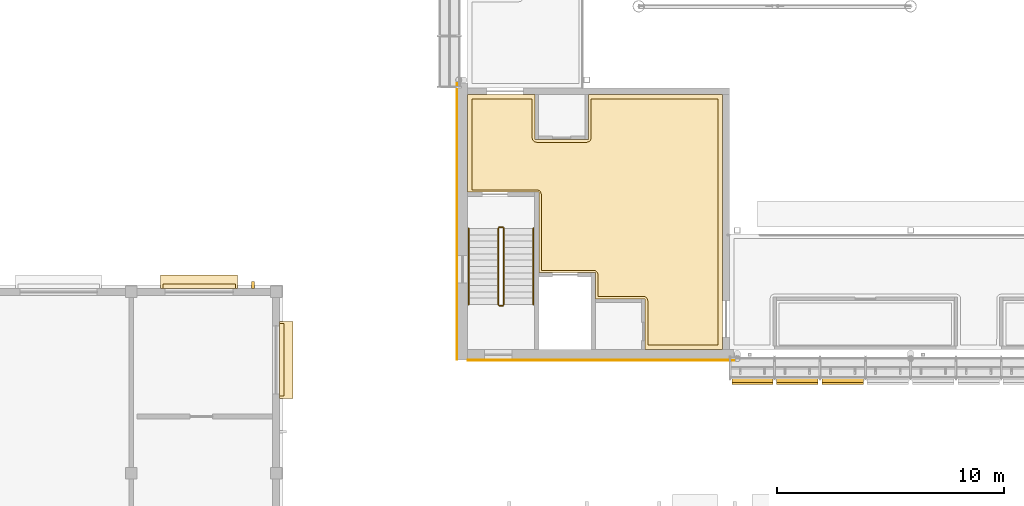
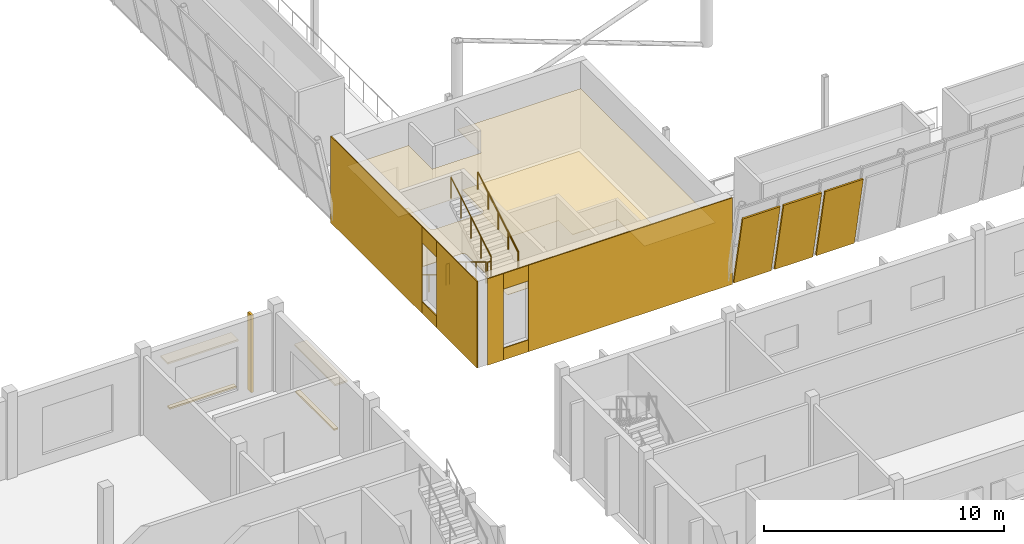
# One storey, part 96 of 115: 14 coverings, 6 railings, 4 shading devices.
"""IFC4 building model written with IfcOpenShell, lengths in metres."""

from ifc_helpers import new_model, si_unit, direction, frame, origin, origin_2d, place, context, subcontext, project, spatial, polyline, circle, outline, extrude, material, layer, layer_set, type_object, element, save


model = new_model("IFC4")

# Units and contexts
model_context = context("Model", 3, precision=1e-05, world=origin(), true_north=direction((0.0, 1.0)))
body_context = subcontext(model_context, "Body", "Model", "MODEL_VIEW")
ifc_project = project(units=[si_unit("LENGTHUNIT", "METRE"), si_unit("AREAUNIT", "SQUARE_METRE"), si_unit("VOLUMEUNIT", "CUBIC_METRE"), si_unit("PLANEANGLEUNIT", "RADIAN"), si_unit("MASSUNIT", "GRAM", prefix="KILO")], contexts=[model_context])

# Site, building, storey
site_placement = place(None, origin())
site = spatial("IfcSite", under=ifc_project, at=site_placement, CompositionType="ELEMENT")
building_placement = place(site_placement, origin())
building = spatial("IfcBuilding", under=site, at=building_placement, Name="Windward Yard Aquatics Centre", CompositionType="ELEMENT")
storey_placement = place(building_placement, frame((0.0, 0.0, 5.0)))
storey = spatial("IfcBuildingStorey", under=building, at=storey_placement, Name="L01", CompositionType="ELEMENT", Elevation=5.0)

# Covering
ifc_material_1 = material(Name="Polished screed")
ifc_layer_1 = layer(ifc_material_1, 0.0400390625)
ifc_layer_set_1 = layer_set([ifc_layer_1], Name="H Floor Finish Screed 40")
covering_type_1 = type_object("IfcCoveringType", Name="H Floor Finish Screed 40", PredefinedType="FLOORING", material=ifc_layer_set_1)
covering_1_placement = place(storey_placement, origin())
element("IfcCovering", 1, at=covering_1_placement, inside=storey, type_object=covering_type_1, Name="Core Lobby SW floor finish", PredefinedType="FLOORING", context=body_context, shape_type="SweptSolid", body=[
    extrude(outline(polyline([(52.64990234375, 33.5), (52.64990234375, 37.5), (55.300048828125, 37.5), (55.301025390625, 35.780517578125), (55.30859375, 35.741943359375), (55.323486328125, 35.705810546875), (55.345458984375, 35.673095703125), (55.373046875, 35.6455078125), (55.388916015625, 35.6337890625), (55.423583984375, 35.615234375), (55.4609375, 35.603759765625), (55.5, 35.60009765625), (57.699951171875, 35.60009765625), (57.739013671875, 35.603759765625), (57.776611328125, 35.615234375), (57.81103515625, 35.6337890625), (57.826904296875, 35.6455078125), (57.8544921875, 35.673095703125), (57.87646484375, 35.705810546875), (57.891357421875, 35.741943359375), (57.89892578125, 35.780517578125), (57.89990234375, 35.800048828125), (57.89990234375, 37.5), (63.5, 37.5), (63.5, 26.64990234375), (60.39990234375, 26.64990234375), (60.39990234375, 28.60009765625), (60.39892578125, 28.61962890625), (60.391357421875, 28.658203125), (60.37646484375, 28.6943359375), (60.3544921875, 28.726806640625), (60.326904296875, 28.754638671875), (60.31103515625, 28.766357421875), (60.294189453125, 28.7763671875), (60.258056640625, 28.79150390625), (60.239013671875, 28.796142578125), (60.199951171875, 28.800048828125), (58.199951171875, 28.800048828125), (58.198974609375, 29.76953125), (58.19140625, 29.80810546875), (58.184814453125, 29.826416015625), (58.166259765625, 29.861083984375), (58.154541015625, 29.876953125), (58.126953125, 29.904541015625), (58.111083984375, 29.916259765625), (58.09423828125, 29.926513671875), (58.05810546875, 29.94140625), (58.0390625, 29.9462890625), (58.0, 29.949951171875), (55.699951171875, 29.949951171875), (55.699951171875, 33.300048828125), (55.698974609375, 33.319580078125), (55.69140625, 33.358154296875), (55.676513671875, 33.394287109375), (55.654541015625, 33.427001953125), (55.626953125, 33.45458984375), (55.611083984375, 33.46630859375), (55.576416015625, 33.48486328125), (55.5390625, 33.49609375), (55.5, 33.5), (52.64990234375, 33.5)])), origin(), (0.0, 0.0, 1.0), 0.02001953125),
])

# Railings
ifc_material_2 = material(Name="Stainless steel 1.4529", Category="steel")
railing_type_1 = type_object("IfcRailingType", Name="H Guard Steel 1100", PredefinedType="GUARDRAIL", material=ifc_material_2)
railing_1_placement = place(storey_placement, frame((53.800048828125, 31.800048828125, 0.169189453125)))
element("IfcRailing", 2, at=railing_1_placement, inside=storey, type_object=railing_type_1, Name="L01 ST1 stair guard 1", PredefinedType="GUARDRAIL", context=body_context, shape_type="SweptSolid", body=[
    extrude(circle(Radius=0.02392578125, at=origin_2d()), frame((0.0, 0.0, 1.076171875), z_axis=(0.0, -0.855836976705, 0.517245656632), x_axis=(1.0, 0.0, 0.0)), (0.0, 0.0, 1.0), 3.926025390625),
    extrude(circle(Radius=0.02099609375, at=origin_2d()), origin(), (0.0, 0.0, 1.0), 1.052001953125),
    extrude(circle(Radius=0.02099609375, at=origin_2d()), frame((0.0, -0.840087890625, 0.5078125)), (0.0, 0.0, 1.0), 1.052001953125),
    extrude(circle(Radius=0.02099609375, at=origin_2d()), frame((0.0, -1.68017578125, 1.015380859375)), (0.0, 0.0, 1.0), 1.052001953125),
    extrude(circle(Radius=0.02099609375, at=origin_2d()), frame((0.0, -2.52001953125, 1.52294921875)), (0.0, 0.0, 1.0), 1.052001953125),
    extrude(circle(Radius=0.02099609375, at=origin_2d()), frame((0.0, -3.360107421875, 2.03076171875)), (0.0, 0.0, 1.0), 1.052001953125),
])
railing_2_placement = place(storey_placement, frame((53.85009765625, 28.389892578125, 2.199951171875)))
element("IfcRailing", 3, at=railing_2_placement, inside=storey, type_object=railing_type_1, Name="L01 ST1 stair guard 2", PredefinedType="GUARDRAIL", context=body_context, shape_type="SweptSolid", body=[
    extrude(circle(Radius=0.02392578125, at=origin_2d()), frame((0.0, 0.0, 1.076171875), z_axis=(1.0, 0.0, 0.0), x_axis=(0.0, 1.0, 0.0)), (0.0, 0.0, 1.0), 0.14990234375),
    extrude(circle(Radius=0.02099609375, at=origin_2d()), origin(), (0.0, 0.0, 1.0), 1.052001953125),
    extrude(circle(Radius=0.02099609375, at=origin_2d()), frame((0.14990234375, 0.0, 0.0)), (0.0, 0.0, 1.0), 1.052001953125),
])
railing_3_placement = place(storey_placement, frame((54.050048828125, 28.43994140625, 2.369140625)))
element("IfcRailing", 4, at=railing_3_placement, inside=storey, type_object=railing_type_1, Name="L01 ST1 stair guard 3", PredefinedType="GUARDRAIL", context=body_context, shape_type="SweptSolid", body=[
    extrude(circle(Radius=0.02392578125, at=origin_2d()), frame((0.0, 0.0, 1.076171875), z_axis=(0.0, 0.855836976705, 0.517245656632), x_axis=(-1.0, 0.0, 0.0)), (0.0, 0.0, 1.0), 3.926025390625),
    extrude(circle(Radius=0.02099609375, at=origin_2d()), origin(), (0.0, 0.0, 1.0), 1.052001953125),
    extrude(circle(Radius=0.02099609375, at=origin_2d()), frame((0.0, 0.840087890625, 0.5078125)), (0.0, 0.0, 1.0), 1.052001953125),
    extrude(circle(Radius=0.02099609375, at=origin_2d()), frame((0.0, 1.68017578125, 1.015380859375)), (0.0, 0.0, 1.0), 1.052001953125),
    extrude(circle(Radius=0.02099609375, at=origin_2d()), frame((0.0, 2.52001953125, 1.52294921875)), (0.0, 0.0, 1.0), 1.052001953125),
    extrude(circle(Radius=0.02099609375, at=origin_2d()), frame((0.0, 3.360107421875, 2.03076171875)), (0.0, 0.0, 1.0), 1.052001953125),
])
railing_4_placement = place(storey_placement, frame((53.85009765625, 31.85009765625, 0.0)))
element("IfcRailing", 5, at=railing_4_placement, inside=storey, type_object=railing_type_1, Name="L01 ST1 stair guard 4", PredefinedType="GUARDRAIL", context=body_context, shape_type="SweptSolid", body=[
    extrude(circle(Radius=0.02392578125, at=origin_2d()), frame((0.0, 0.0, 1.076171875), z_axis=(1.0, 0.0, 0.0), x_axis=(0.0, 1.0, 0.0)), (0.0, 0.0, 1.0), 0.14990234375),
    extrude(circle(Radius=0.02099609375, at=origin_2d()), origin(), (0.0, 0.0, 1.0), 1.052001953125),
    extrude(circle(Radius=0.02099609375, at=origin_2d()), frame((0.14990234375, 0.0, 0.0)), (0.0, 0.0, 1.0), 1.052001953125),
])
railing_type_2 = type_object("IfcRailingType", Name="H Handrail Steel 900", PredefinedType="HANDRAIL", material=ifc_material_2)
railing_5_placement = place(storey_placement, frame((52.5, 31.800048828125, 0.169189453125)))
element("IfcRailing", 6, at=railing_5_placement, inside=storey, type_object=railing_type_2, Name="L01 ST1 stair handrail 1", PredefinedType="HANDRAIL", context=body_context, shape_type="SweptSolid", body=[
    extrude(circle(Radius=0.02392578125, at=origin_2d()), frame((0.0, 0.0, 0.8759765625), z_axis=(0.0, -0.855836976705, 0.517245656632), x_axis=(1.0, 0.0, 0.0)), (0.0, 0.0, 1.0), 3.926025390625),
    extrude(circle(Radius=0.02099609375, at=origin_2d()), origin(), (0.0, 0.0, 1.0), 0.851806640625),
    extrude(circle(Radius=0.02099609375, at=origin_2d()), frame((0.0, -0.840087890625, 0.5078125)), (0.0, 0.0, 1.0), 0.851806640625),
    extrude(circle(Radius=0.02099609375, at=origin_2d()), frame((0.0, -1.68017578125, 1.015380859375)), (0.0, 0.0, 1.0), 0.851806640625),
    extrude(circle(Radius=0.02099609375, at=origin_2d()), frame((0.0, -2.52001953125, 1.52294921875)), (0.0, 0.0, 1.0), 0.851806640625),
    extrude(circle(Radius=0.02099609375, at=origin_2d()), frame((0.0, -3.360107421875, 2.03076171875)), (0.0, 0.0, 1.0), 0.851806640625),
])
railing_6_placement = place(storey_placement, frame((55.35009765625, 28.43994140625, 2.369140625)))
element("IfcRailing", 7, at=railing_6_placement, inside=storey, type_object=railing_type_2, Name="L01 ST1 stair handrail 2", PredefinedType="HANDRAIL", context=body_context, shape_type="SweptSolid", body=[
    extrude(circle(Radius=0.02392578125, at=origin_2d()), frame((0.0, 0.0, 0.8759765625), z_axis=(0.0, 0.855836976705, 0.517245656632), x_axis=(-1.0, 0.0, 0.0)), (0.0, 0.0, 1.0), 3.926025390625),
    extrude(circle(Radius=0.02099609375, at=origin_2d()), origin(), (0.0, 0.0, 1.0), 0.851806640625),
    extrude(circle(Radius=0.02099609375, at=origin_2d()), frame((0.0, 0.840087890625, 0.5078125)), (0.0, 0.0, 1.0), 0.851806640625),
    extrude(circle(Radius=0.02099609375, at=origin_2d()), frame((0.0, 1.68017578125, 1.015380859375)), (0.0, 0.0, 1.0), 0.851806640625),
    extrude(circle(Radius=0.02099609375, at=origin_2d()), frame((0.0, 2.52001953125, 1.52294921875)), (0.0, 0.0, 1.0), 0.851806640625),
    extrude(circle(Radius=0.02099609375, at=origin_2d()), frame((0.0, 3.360107421875, 2.03076171875)), (0.0, 0.0, 1.0), 0.851806640625),
])

# Coverings
ifc_material_3 = material(Name="Mineral fibre tile")
ifc_layer_2 = layer(ifc_material_3, 0.02001953125)
ifc_layer_set_2 = layer_set([ifc_layer_2], Name="H Suspended Ceiling 600 x 600")
covering_type_2 = type_object("IfcCoveringType", Name="H Suspended Ceiling 600 x 600", PredefinedType="CEILING", material=ifc_layer_set_2)
covering_2_placement = place(storey_placement, frame((0.0, 0.0, 3.0)))
element("IfcCovering", 8, at=covering_2_placement, inside=storey, type_object=covering_type_2, Name="Core Lobby SW ceiling", PredefinedType="CEILING", context=body_context, shape_type="SweptSolid", body=[
    extrude(outline(polyline([(52.450439453125, 33.400390625), (52.450439453125, 37.699462890625), (55.424560546875, 37.699462890625), (55.424560546875, 35.72509765625), (57.775390625, 35.72509765625), (57.775390625, 37.699462890625), (63.699462890625, 37.699462890625), (63.699462890625, 26.450439453125), (60.275390625, 26.450439453125), (60.275390625, 28.675048828125), (58.1005859375, 28.675537109375), (58.1005859375, 29.85009765625), (55.6005859375, 29.8505859375), (55.6005859375, 33.39990234375), (52.450439453125, 33.400390625)])), origin(), (0.0, 0.0, 1.0), 0.02001953125),
])
ifc_material_4 = material(Name="Natural limestone cladding", Category="masonry")
ifc_layer_3 = layer(ifc_material_4, 0.0400390625)
ifc_layer_set_3 = layer_set([ifc_layer_3], Name="H natural stone cladding 40")
covering_type_3 = type_object("IfcCoveringType", Name="H natural stone cladding 40", PredefinedType="CLADDING", material=ifc_layer_set_3)
covering_3_placement = place(storey_placement, origin())
element("IfcCovering", 9, at=covering_3_placement, inside=storey, type_object=covering_type_3, Name="Stone cladding panel 115", PredefinedType="CLADDING", context=body_context, shape_type="SweptSolid", body=[
    extrude(outline(polyline([(52.449951171875, 25.9599609375), (52.449951171875, 26.0), (53.199951171875, 26.0), (53.199951171875, 25.9599609375), (52.449951171875, 25.9599609375)])), origin(), (0.0, 0.0, 1.0), 4.39990234375),
])
covering_4_placement = place(storey_placement, origin())
element("IfcCovering", 10, at=covering_4_placement, inside=storey, type_object=covering_type_3, Name="Stone cladding panel 116", PredefinedType="CLADDING", context=body_context, shape_type="SweptSolid", body=[
    extrude(outline(polyline([(53.199951171875, 25.9599609375), (53.199951171875, 26.0), (54.39990234375, 26.0), (54.39990234375, 25.9599609375), (53.199951171875, 25.9599609375)])), origin(), (0.0, 0.0, 1.0), 0.60009765625),
])
covering_5_placement = place(storey_placement, frame((0.0, 0.0, 3.60009765625)))
element("IfcCovering", 11, at=covering_5_placement, inside=storey, type_object=covering_type_3, Name="Stone cladding panel 117", PredefinedType="CLADDING", context=body_context, shape_type="SweptSolid", body=[
    extrude(outline(polyline([(53.199951171875, 25.9599609375), (53.199951171875, 26.0), (54.39990234375, 26.0), (54.39990234375, 25.9599609375), (53.199951171875, 25.9599609375)])), origin(), (0.0, 0.0, 1.0), 0.7998046875),
])
covering_6_placement = place(storey_placement, origin())
element("IfcCovering", 12, at=covering_6_placement, inside=storey, type_object=covering_type_3, Name="Stone cladding panel 118", PredefinedType="CLADDING", context=body_context, shape_type="SweptSolid", body=[
    extrude(outline(polyline([(54.39990234375, 25.9599609375), (54.39990234375, 26.0), (64.214111328125, 26.0), (64.214111328125, 25.9599609375), (54.39990234375, 25.9599609375)])), origin(), (0.0, 0.0, 1.0), 4.39990234375),
])
covering_7_placement = place(storey_placement, origin())
element("IfcCovering", 13, at=covering_7_placement, inside=storey, type_object=covering_type_3, Name="Stone cladding panel 141", PredefinedType="CLADDING", context=body_context, shape_type="SweptSolid", body=[
    extrude(outline(polyline([(51.9599609375, 26.0), (52.0, 26.0), (52.0, 29.39990234375), (51.9599609375, 29.39990234375), (51.9599609375, 26.0)])), origin(), (0.0, 0.0, 1.0), 4.39990234375),
])
covering_8_placement = place(storey_placement, origin())
element("IfcCovering", 14, at=covering_8_placement, inside=storey, type_object=covering_type_3, Name="Stone cladding panel 142", PredefinedType="CLADDING", context=body_context, shape_type="SweptSolid", body=[
    extrude(outline(polyline([(51.9599609375, 29.39990234375), (52.0, 29.39990234375), (52.0, 30.60009765625), (51.9599609375, 30.60009765625), (51.9599609375, 29.39990234375)])), origin(), (0.0, 0.0, 1.0), 0.60009765625),
])
covering_9_placement = place(storey_placement, frame((0.0, 0.0, 3.60009765625)))
element("IfcCovering", 15, at=covering_9_placement, inside=storey, type_object=covering_type_3, Name="Stone cladding panel 143", PredefinedType="CLADDING", context=body_context, shape_type="SweptSolid", body=[
    extrude(outline(polyline([(51.9599609375, 29.39990234375), (52.0, 29.39990234375), (52.0, 30.60009765625), (51.9599609375, 30.60009765625), (51.9599609375, 29.39990234375)])), origin(), (0.0, 0.0, 1.0), 0.7998046875),
])
covering_10_placement = place(storey_placement, origin())
element("IfcCovering", 16, at=covering_10_placement, inside=storey, type_object=covering_type_3, Name="Stone cladding panel 144", PredefinedType="CLADDING", context=body_context, shape_type="SweptSolid", body=[
    extrude(outline(polyline([(51.9599609375, 30.60009765625), (52.0, 30.60009765625), (52.0, 38.214111328125), (51.9599609375, 38.214111328125), (51.9599609375, 30.60009765625)])), origin(), (0.0, 0.0, 1.0), 4.39990234375),
])

# Shading devices
ifc_material_5 = material(Name="Aluminium extruded louvre blades, powder coated", Category="aluminium")
ifc_layer_4 = layer(ifc_material_5, 0.080078125)
ifc_layer_set_4 = layer_set([ifc_layer_4], Name="H storm louvre shutter 1802x3790")
shading_device_type_1 = type_object("IfcShadingDeviceType", Name="H storm louvre shutter 1802x3790", PredefinedType="SHUTTER", material=ifc_layer_set_4)
shading_device_1_placement = place(storey_placement, frame((64.114990234375, 24.989501953125, 4.000732421875), z_axis=(0.0, 0.979926212575, 0.199360522443), x_axis=(0.0, 0.199360522443, -0.979926212575)))
element("IfcShadingDevice", 17, at=shading_device_1_placement, inside=storey, type_object=shading_device_type_1, Name="Storm louvre S L01 A1", PredefinedType="SHUTTER", context=body_context, shape_type="SweptSolid", body=[
    extrude(outline(polyline([(0.0, 0.0), (3.790195, 0.0), (3.790195, -1.802246), (0.0, -1.802246), (0.0, 0.0)])), origin(), (0.0, 0.0, -1.0), 0.080078125),
])
for number, where, z_axis, x_axis, name in (
    (18, (66.082275390625, 24.989501953125, 4.000732421875), (0.0, 0.979926212575, 0.199360522443), (0.0, 0.199360522443, -0.979926212575), "Storm louvre S L01 A2"),
    (19, (68.08203125, 24.989501953125, 4.000732421875), (0.0, 0.979926212575, 0.199360522443), (0.0, 0.199360522443, -0.979926212575), "Storm louvre S L01 A3"),
):
    element("IfcShadingDevice", number, at=place(storey_placement, frame(where, z_axis=z_axis, x_axis=x_axis)), inside=storey, type_object=shading_device_type_1, Name=name, PredefinedType="SHUTTER", context=body_context, shape_type="SweptSolid", body=[
        extrude(outline(polyline([(0.0, 0.0), (3.790195, 0.0), (3.790195, -1.834717), (0.0, -1.834717), (0.0, 0.0)])), origin(), (0.0, 0.0, -1.0), 0.080078125),
    ])
ifc_material_6 = material(Name="Aluminium fin, powder coated", Category="aluminium")
shading_device_type_2 = type_object("IfcShadingDeviceType", Name="P vertical fin 120x300", PredefinedType="USERDEFINED", material=ifc_material_6)
shading_device_2_placement = place(storey_placement, origin())
element("IfcShadingDevice", 20, at=shading_device_2_placement, inside=storey, type_object=shading_device_type_2, Name="Vertical fin P.W.L01.N5.1.1", ObjectType="FIN", PredefinedType="USERDEFINED", context=body_context, shape_type="SweptSolid", body=[
    extrude(outline(polyline([(42.9150390625, 29.14990234375), (43.034912109375, 29.14990234375), (43.034912109375, 29.449951171875), (42.9150390625, 29.449951171875), (42.9150390625, 29.14990234375)])), origin(), (0.0, 0.0, 1.0), 3.929931640625),
])

# Coverings
ifc_material_7 = material(Name="Aluminium composite hood, powder coated", Category="aluminium")
ifc_layer_5 = layer(ifc_material_7, 0.080078125)
ifc_layer_set_5 = layer_set([ifc_layer_5], Name="P window hood aluminium 3400x600")
covering_type_4 = type_object("IfcCoveringType", Name="P window hood aluminium 3400x600", PredefinedType="CLADDING", material=ifc_layer_set_5)
covering_11_placement = place(storey_placement, frame((0.0, 0.0, 2.85009765625)))
element("IfcCovering", 21, at=covering_11_placement, inside=storey, type_object=covering_type_4, Name="Window hood PW1006", PredefinedType="CLADDING", context=body_context, shape_type="SweptSolid", body=[
    extrude(outline(polyline([(44.14990234375, 24.300048828125), (44.14990234375, 27.699951171875), (44.75, 27.699951171875), (44.75, 24.300048828125), (44.14990234375, 24.300048828125)])), origin(), (0.0, 0.0, 1.0), 0.079833984375),
])
covering_12_placement = place(storey_placement, frame((0.0, 0.0, 2.85009765625)))
element("IfcCovering", 22, at=covering_12_placement, inside=storey, type_object=covering_type_4, Name="Window hood PW1005", PredefinedType="CLADDING", context=body_context, shape_type="SweptSolid", body=[
    extrude(outline(polyline([(38.89990234375, 29.14990234375), (42.300048828125, 29.14990234375), (42.300048828125, 29.75), (38.89990234375, 29.75), (38.89990234375, 29.14990234375)])), origin(), (0.0, 0.0, 1.0), 0.079833984375),
])
ifc_material_8 = material(Name="Limestone sill", Category="masonry")
ifc_layer_6 = layer(ifc_material_8, 0.080078125)
ifc_layer_set_6 = layer_set([ifc_layer_6], Name="P window sill stone 3200x200")
covering_type_5 = type_object("IfcCoveringType", Name="P window sill stone 3200x200", PredefinedType="CLADDING", material=ifc_layer_set_6)
covering_13_placement = place(storey_placement, frame((0.0, 0.0, 0.52001953125)))
element("IfcCovering", 23, at=covering_13_placement, inside=storey, type_object=covering_type_5, Name="Window sill PW1006", PredefinedType="CLADDING", context=body_context, shape_type="SweptSolid", body=[
    extrude(outline(polyline([(44.14990234375, 24.39990234375), (44.14990234375, 27.60009765625), (44.35009765625, 27.60009765625), (44.35009765625, 24.39990234375), (44.14990234375, 24.39990234375)])), origin(), (0.0, 0.0, 1.0), 0.080078125),
])
covering_14_placement = place(storey_placement, frame((0.0, 0.0, 0.52001953125)))
element("IfcCovering", 24, at=covering_14_placement, inside=storey, type_object=covering_type_5, Name="Window sill PW1005", PredefinedType="CLADDING", context=body_context, shape_type="SweptSolid", body=[
    extrude(outline(polyline([(39.0, 29.14990234375), (42.199951171875, 29.14990234375), (42.199951171875, 29.35009765625), (39.0, 29.35009765625), (39.0, 29.14990234375)])), origin(), (0.0, 0.0, 1.0), 0.080078125),
])

save(model, "model.ifc")
